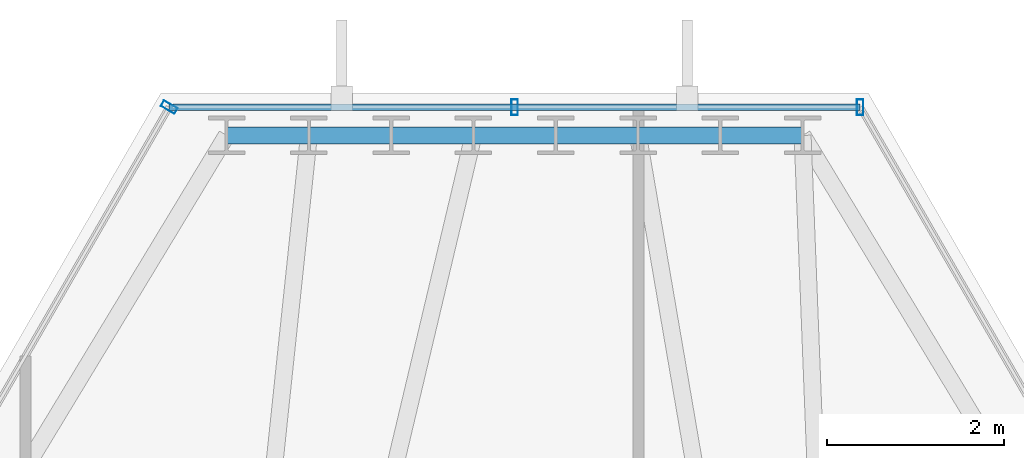
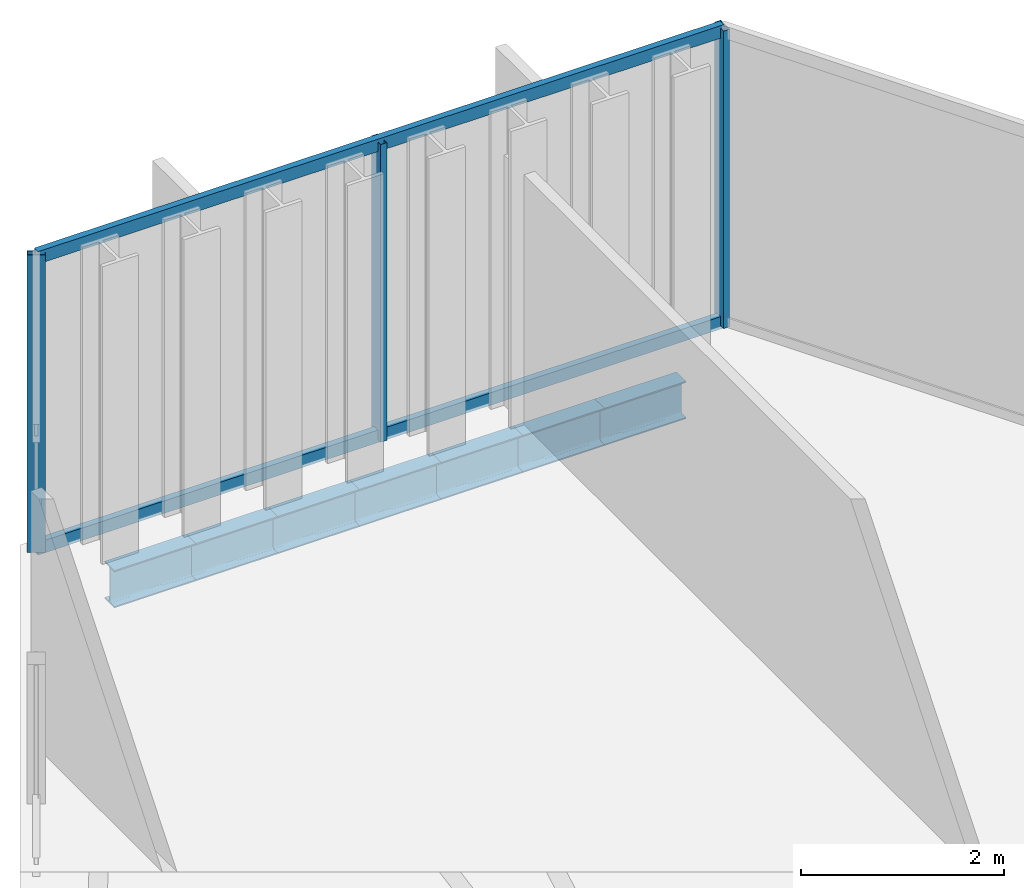
# One storey, part 22 of 30: 7 beams, 5 members, 2 elements without a shape of their own.
"""IFC4 building model written with IfcOpenShell, lengths in metres."""

from ifc_helpers import new_model, si_unit, direction, frame, origin, origin_2d, place, context, subcontext, project, spatial, hollow_rectangle, i_section, extrude, material, layer, layer_set, material_profile, profile_set, type_object, element, aggregate, save


model = new_model("IFC4")

# Units and contexts
model_context = context("Model", 3, precision=1e-05, world=origin(), true_north=direction((0.0, 1.0)))
body_context = subcontext(model_context, "Body", "Model", "MODEL_VIEW")
ifc_project = project(units=[si_unit("LENGTHUNIT", "METRE"), si_unit("AREAUNIT", "SQUARE_METRE"), si_unit("VOLUMEUNIT", "CUBIC_METRE"), si_unit("PLANEANGLEUNIT", "RADIAN"), si_unit("MASSUNIT", "GRAM", prefix="KILO")], contexts=[model_context])

# Site, building, storey
site_placement = place(None, origin())
site = spatial("IfcSite", under=ifc_project, at=site_placement, CompositionType="ELEMENT")
building_placement = place(site_placement, origin())
building = spatial("IfcBuilding", under=site, at=building_placement, Name="Ndaravel Arena Tower", CompositionType="ELEMENT")
storey_placement = place(building_placement, frame((0.0, 0.0, 221.800048828125)))
storey = spatial("IfcBuildingStorey", under=building, at=storey_placement, Name="L53", CompositionType="ELEMENT", Elevation=221.800048828125)

# Beams
ifc_material_1 = material(Name="Steel S355", Category="steel")
ifc_material_profile_1 = material_profile(ifc_material_1, i_section(OverallWidth=0.18994140625, OverallDepth=0.449951171875, WebThickness=0.009521484375, FlangeThickness=0.0146484375, FilletRadius=0.02099609375, at=origin_2d()), Name="IPE 450")
ifc_profile_set_1 = profile_set([ifc_material_profile_1], Name="Steel S355")
beam_type = type_object("IfcBeamType", Name="BM-SPAN-IPE450", PredefinedType="SPANDREL", material=ifc_profile_set_1)
beam_1_placement = place(storey_placement, frame((45.25244140625, 45.2578125, -0.445068359375), z_axis=(-1.0, 0.0, 0.0), x_axis=(0.0, -1.0, 0.0)))
element("IfcBeam", 1, at=beam_1_placement, inside=storey, type_object=beam_type, Name="L53 Perimeter Spandrel Beam SP-11", PredefinedType="SPANDREL", context=body_context, shape_type="SweptSolid", body=[
    extrude(i_section(OverallWidth=0.18994140625, OverallDepth=0.449951171875, WebThickness=0.009521484375, FlangeThickness=0.0146484375, FilletRadius=0.02099609375, at=origin_2d()), origin(), (0.0, 0.0, 1.0), 0.92919921875),
])
beam_2_placement = place(storey_placement, frame((44.3232421875, 45.2578125, -0.445068359375), z_axis=(-1.0, 0.0, 0.0), x_axis=(0.0, -1.0, 0.0)))
element("IfcBeam", 2, at=beam_2_placement, inside=storey, type_object=beam_type, Name="L53 Perimeter Spandrel Beam SP-12", PredefinedType="SPANDREL", context=body_context, shape_type="SweptSolid", body=[
    extrude(i_section(OverallWidth=0.18994140625, OverallDepth=0.449951171875, WebThickness=0.009521484375, FlangeThickness=0.0146484375, FilletRadius=0.02099609375, at=origin_2d()), origin(), (0.0, 0.0, 1.0), 0.929443359375),
])
for number, where, z_axis, x_axis, name in (
    (3, (43.393798828125, 45.2578125, -0.445068359375), (-1.0, 0.0, 0.0), (0.0, -1.0, 0.0), "L53 Perimeter Spandrel Beam SP-13"),
    (4, (42.464599609375, 45.2578125, -0.445068359375), (-1.0, 0.0, 0.0), (0.0, -1.0, 0.0), "L53 Perimeter Spandrel Beam SP-14"),
    (5, (41.535400390625, 45.2578125, -0.445068359375), (-1.0, 0.0, 0.0), (0.0, -1.0, 0.0), "L53 Perimeter Spandrel Beam SP-15"),
):
    element("IfcBeam", number, at=place(storey_placement, frame(where, z_axis=z_axis, x_axis=x_axis)), inside=storey, type_object=beam_type, Name=name, PredefinedType="SPANDREL", context=body_context, shape_type="SweptSolid", body=[
        extrude(i_section(OverallWidth=0.18994140625, OverallDepth=0.449951171875, WebThickness=0.009521484375, FlangeThickness=0.0146484375, FilletRadius=0.02099609375, at=origin_2d()), origin(), (0.0, 0.0, 1.0), 0.92919921875),
    ])
beam_3_placement = place(storey_placement, frame((40.606201171875, 45.2578125, -0.445068359375), z_axis=(-1.0, 0.0, 0.0), x_axis=(0.0, -1.0, 0.0)))
element("IfcBeam", 6, at=beam_3_placement, inside=storey, type_object=beam_type, Name="L53 Perimeter Spandrel Beam SP-16", PredefinedType="SPANDREL", context=body_context, shape_type="SweptSolid", body=[
    extrude(i_section(OverallWidth=0.18994140625, OverallDepth=0.449951171875, WebThickness=0.009521484375, FlangeThickness=0.0146484375, FilletRadius=0.02099609375, at=origin_2d()), origin(), (0.0, 0.0, 1.0), 0.929443359375),
])
beam_4_placement = place(storey_placement, frame((39.6767578125, 45.2578125, -0.445068359375), z_axis=(-1.0, 0.0, 0.0), x_axis=(0.0, -1.0, 0.0)))
element("IfcBeam", 7, at=beam_4_placement, inside=storey, type_object=beam_type, Name="L53 Perimeter Spandrel Beam SP-17", PredefinedType="SPANDREL", context=body_context, shape_type="SweptSolid", body=[
    extrude(i_section(OverallWidth=0.18994140625, OverallDepth=0.449951171875, WebThickness=0.009521484375, FlangeThickness=0.0146484375, FilletRadius=0.02099609375, at=origin_2d()), origin(), (0.0, 0.0, 1.0), 0.92919921875),
])

# Curtain wall, members
ifc_material_2 = material(Name="Aluminium", Category="aluminium")
ifc_layer_1 = layer(ifc_material_2, 0.179931640625)
ifc_layer_set_1 = layer_set([ifc_layer_1], Name="Aluminium")
curtain_wall_type_1 = type_object("IfcCurtainWallType", Name="CW-SYS-01", PredefinedType="NOTDEFINED", material=ifc_layer_set_1)
curtain_wall_1_placement = place(storey_placement, origin())
curtain_wall_1 = element("IfcCurtainWall", 8, at=curtain_wall_1_placement, inside=storey, type_object=curtain_wall_type_1, Name="L53 Faceted Crystal Curtain Wall CW-L53-E04", PredefinedType="NOTDEFINED")
ifc_material_3 = material(Name="Aluminium", Category="aluminium")
ifc_material_profile_2 = material_profile(ifc_material_3, hollow_rectangle(XDim=0.074951171875, YDim=0.179931640625, WallThickness=0.00390625, at=origin_2d()), Name="CW MULLION 75x180x4")
ifc_profile_set_2 = profile_set([ifc_material_profile_2], Name="Aluminium")
member_type_1 = type_object("IfcMemberType", Name="MEM-CW-MUL180", PredefinedType="MULLION", material=ifc_profile_set_2)
member_1_placement = place(storey_placement, frame((45.90185546875, 45.57763671875, 0.0), z_axis=(0.0, 0.0, 1.0), x_axis=(-1.0, 0.0, 0.0)))
member_1 = element("IfcMember", 9, at=member_1_placement, type_object=member_type_1, Name="CW-L53-E04 Mullion 00", PredefinedType="MULLION", context=body_context, shape_type="SweptSolid", body=[
    extrude(hollow_rectangle(XDim=0.074951171875, YDim=0.179931640625, WallThickness=0.00390625, at=origin_2d()), origin(), (0.0, 0.0, 1.0), 3.579833984375),
])
member_2_placement = place(storey_placement, frame((42.0, 45.57763671875, 0.0), z_axis=(0.0, 0.0, 1.0), x_axis=(-1.0, 0.0, 0.0)))
member_2 = element("IfcMember", 10, at=member_2_placement, type_object=member_type_1, Name="CW-L53-E04 Mullion 01", PredefinedType="MULLION", context=body_context, shape_type="SweptSolid", body=[
    extrude(hollow_rectangle(XDim=0.074951171875, YDim=0.179931640625, WallThickness=0.00390625, at=origin_2d()), origin(), (0.0, 0.0, 1.0), 3.579833984375),
])

# Curtain wall, member
ifc_material_4 = material(Name="Aluminium", Category="aluminium")
ifc_layer_2 = layer(ifc_material_4, 0.179931640625)
ifc_layer_set_2 = layer_set([ifc_layer_2], Name="Aluminium")
curtain_wall_type_2 = type_object("IfcCurtainWallType", Name="CW-SYS-03", PredefinedType="NOTDEFINED", material=ifc_layer_set_2)
curtain_wall_2_placement = place(storey_placement, origin())
curtain_wall_2 = element("IfcCurtainWall", 11, at=curtain_wall_2_placement, inside=storey, type_object=curtain_wall_type_2, Name="L53 Faceted Crystal Curtain Wall CW-L53-E05", PredefinedType="NOTDEFINED")
member_3_placement = place(storey_placement, frame((38.09814453125, 45.57763671875, 0.0), z_axis=(0.0, 0.0, 1.0), x_axis=(-0.5, -0.866025403784, 0.0)))
member_3 = element("IfcMember", 12, at=member_3_placement, type_object=member_type_1, Name="CW-L53-E05 Mullion 00", PredefinedType="MULLION", context=body_context, shape_type="SweptSolid", body=[
    extrude(hollow_rectangle(XDim=0.074951171875, YDim=0.179931640625, WallThickness=0.00390625, at=origin_2d()), origin(), (0.0, 0.0, 1.0), 3.579833984375),
])
aggregate(curtain_wall_2, [member_3])

# Member
ifc_material_5 = material(Name="Aluminium", Category="aluminium")
ifc_material_profile_3 = material_profile(ifc_material_5, hollow_rectangle(XDim=0.074951171875, YDim=0.14990234375, WallThickness=0.00390625, at=origin_2d()), Name="CW TRANSOM 75x150x4")
ifc_profile_set_3 = profile_set([ifc_material_profile_3], Name="Aluminium")
member_type_2 = type_object("IfcMemberType", Name="MEM-CW-TRN150", PredefinedType="USERDEFINED", material=ifc_profile_set_3)
member_4_placement = place(storey_placement, frame((45.90185546875, 45.57763671875, 0.0400390625), z_axis=(-1.0, 0.0, 0.0), x_axis=(0.0, -1.0, 0.0)))
member_4 = element("IfcMember", 13, at=member_4_placement, type_object=member_type_2, Name="CW-L53-E04 Transom 01", ObjectType="TRANSOM", PredefinedType="USERDEFINED", context=body_context, shape_type="SweptSolid", body=[
    extrude(hollow_rectangle(XDim=0.074951171875, YDim=0.14990234375, WallThickness=0.00390625, at=origin_2d()), origin(), (0.0, 0.0, 1.0), 7.8037109375),
])

member_5_placement = place(storey_placement, frame((45.90185546875, 45.57763671875, 3.5400390625), z_axis=(-1.0, 0.0, 0.0), x_axis=(0.0, -1.0, 0.0)))
member_5 = element("IfcMember", 14, at=member_5_placement, type_object=member_type_2, Name="CW-L53-E04 Transom 02", ObjectType="TRANSOM", PredefinedType="USERDEFINED", context=body_context, shape_type="SweptSolid", body=[
    extrude(hollow_rectangle(XDim=0.074951171875, YDim=0.14990234375, WallThickness=0.00390625, at=origin_2d()), origin(), (0.0, 0.0, 1.0), 7.8037109375),
])

aggregate(curtain_wall_1, [member_1, member_2, member_4, member_5])

save(model, "model.ifc")
